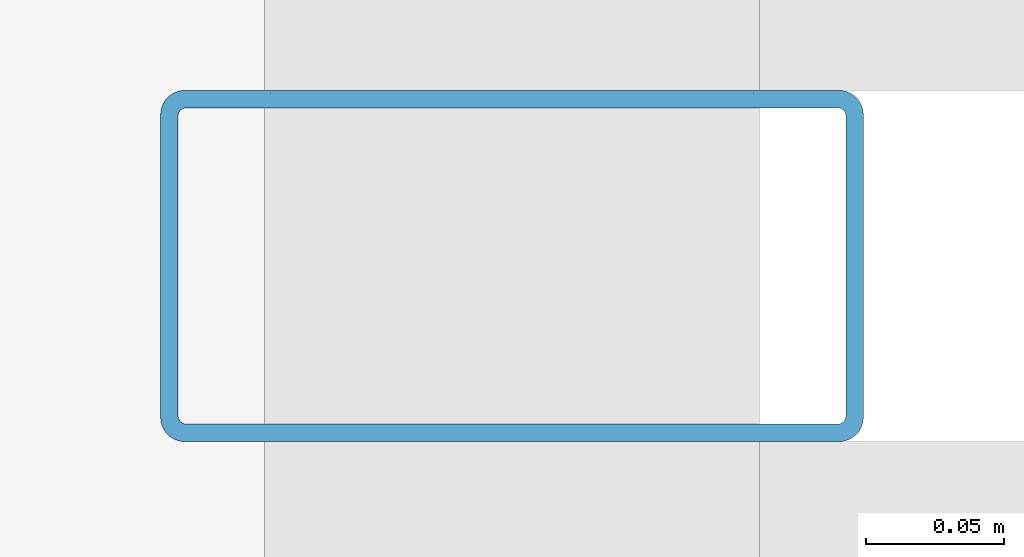
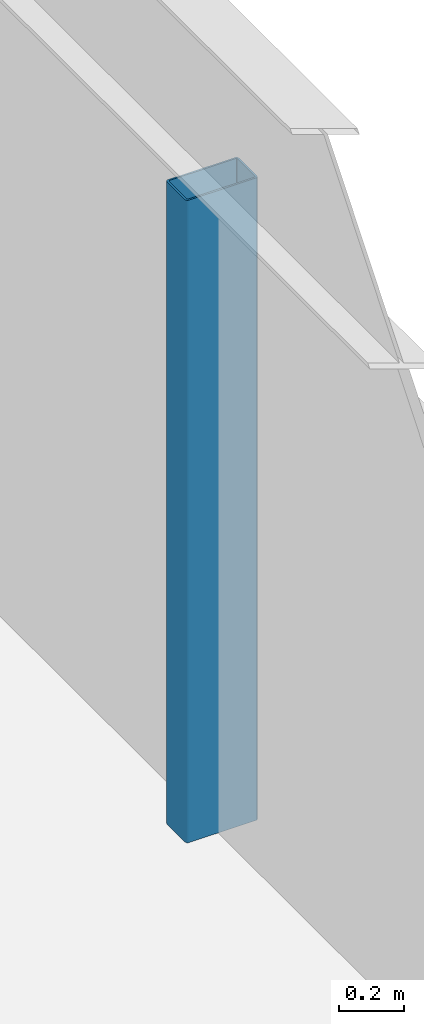
# One storey, part 12 of 46: 1 member.
"""IFC4 building model written with IfcOpenShell, lengths in metres."""

from ifc_helpers import new_model, si_unit, direction, frame, origin, origin_2d, place, context, subcontext, project, spatial, hollow_rectangle, extrude, material, material_profile, profile_set, type_object, element, save


model = new_model("IFC4")

# Units and contexts
model_context = context("Model", 3, precision=1e-05, world=origin(), true_north=direction((0.0, 1.0)))
body_context = subcontext(model_context, "Body", "Model", "MODEL_VIEW")
ifc_project = project(units=[si_unit("LENGTHUNIT", "METRE"), si_unit("AREAUNIT", "SQUARE_METRE"), si_unit("VOLUMEUNIT", "CUBIC_METRE"), si_unit("PLANEANGLEUNIT", "RADIAN"), si_unit("MASSUNIT", "GRAM", prefix="KILO")], contexts=[model_context])

# Site, building, storey
site_placement = place(None, origin())
site = spatial("IfcSite", under=ifc_project, at=site_placement, CompositionType="ELEMENT")
building_placement = place(site_placement, origin())
building = spatial("IfcBuilding", under=site, at=building_placement, Name="Madar Terraces", CompositionType="ELEMENT")
storey_placement = place(building_placement, frame((0.0, 0.0, 317.300048828125)))
storey = spatial("IfcBuildingStorey", under=building, at=storey_placement, Name="L82", CompositionType="ELEMENT", Elevation=317.300048828125)

# Member
ifc_material = material(Name="Steel ASTM A500 Grade C", Category="steel")
ifc_material_profile = material_profile(ifc_material, hollow_rectangle(XDim=0.126953125, YDim=0.25390625, WallThickness=0.00634765625, InnerFilletRadius=0.0029296875, OuterFilletRadius=0.0087890625, at=origin_2d()), Name="HSS10x5x.25")
ifc_profile_set = profile_set([ifc_material_profile], Name="Steel ASTM A500 Grade C")
member_type = type_object("IfcMemberType", Name="LS2 HSS10x5x.25", PredefinedType="POST", material=ifc_profile_set)
member_placement = place(storey_placement, frame((56.39990234375, 19.5, 0.0), z_axis=(0.0, 0.0, 1.0), x_axis=(0.0, 1.0, 0.0)))
element("IfcMember", 1, at=member_placement, inside=storey, type_object=member_type, Name="Crown louvre post LS2", PredefinedType="POST", context=body_context, shape_type="SweptSolid", body=[
    extrude(hollow_rectangle(XDim=0.126953125, YDim=0.25390625, WallThickness=0.00634765625, InnerFilletRadius=0.0029296875, OuterFilletRadius=0.0087890625, at=origin_2d()), origin(), (0.0, 0.0, 1.0), 2.39794921875),
])

save(model, "model.ifc")
